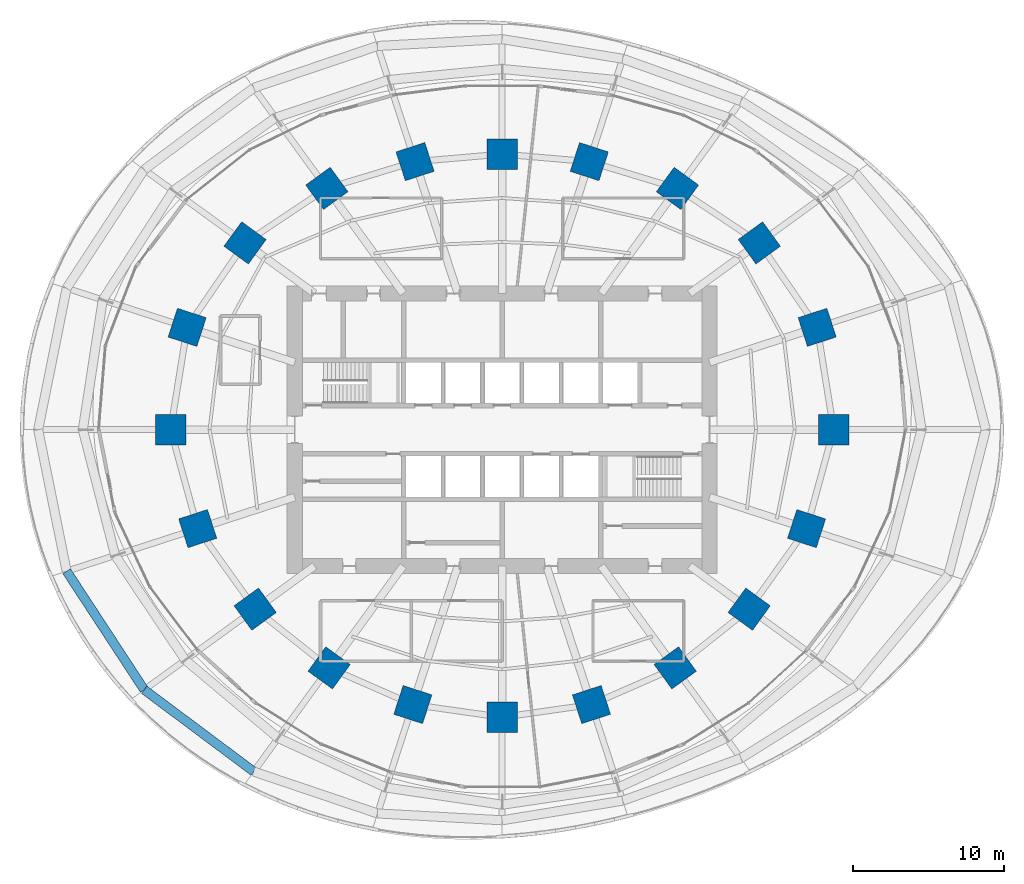
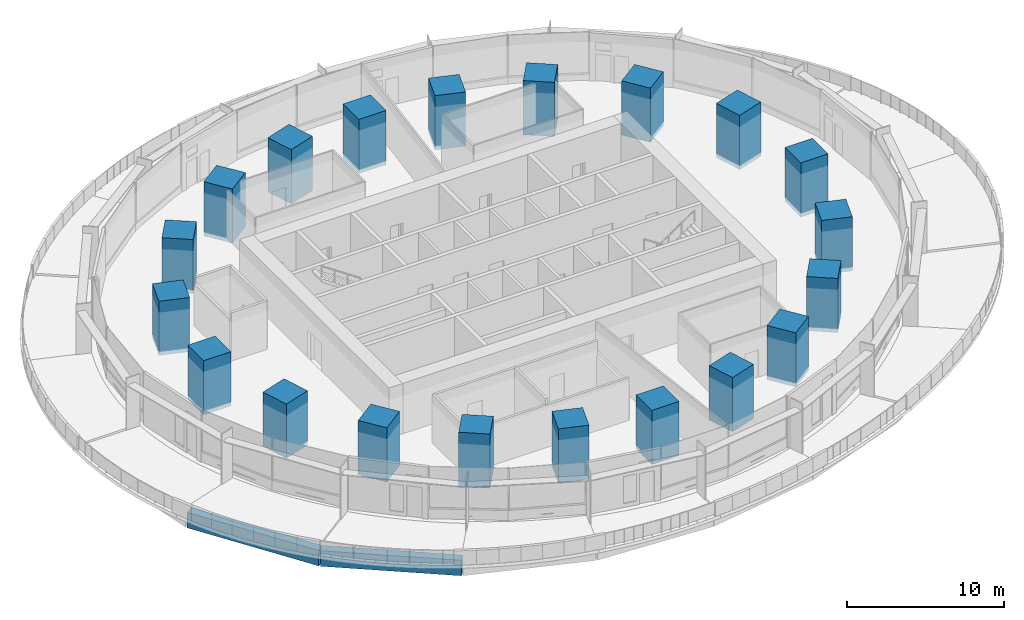
# One storey, part 1 of 20: 20 columns, 2 beams.
"""IFC4 building model written with IfcOpenShell, lengths in metres."""

import ifcopenshell
import ifcopenshell.guid

model = None  # the IFC model being written
_history = None  # IfcOwnerHistory: only IFC2X3 demands one
_inside = {}  # id of a spatial element -> (the spatial element, [elements in it])
_under = {}  # id of a project, library or spatial element -> (it, [spatial elements below it])
_declared = {}  # id of a project -> (the project, [libraries it declares])
_typed = {}  # id of a type object -> (the type object, [elements of that type])
_made_of = {}  # id of a material, layer set ... -> (it, [elements and type objects made of it])


def new_model(schema):
    """Start an empty IFC model of exactly this schema.

    Asked for "IFC4X3", IfcOpenShell would pick the latest addendum, in which some entities
    have other attributes; the version numbers below select the first issue.
    IFC2X3 requires an IfcOwnerHistory on every rooted entity: one is made here for all.
    """
    global model, _history
    if schema == "IFC4X3":
        model = ifcopenshell.file(schema_version=(4, 3, 0, 0))
    else:
        model = ifcopenshell.file(schema=schema)
    _inside.clear()
    _under.clear()
    _declared.clear()
    _typed.clear()
    _made_of.clear()
    _history = None
    if model.schema == "IFC2X3":
        org = make("IfcOrganization", Name="unknown")
        user = make(
            "IfcPersonAndOrganization",
            ThePerson=make("IfcPerson", FamilyName="unknown"),
            TheOrganization=org,
        )
        app = make(
            "IfcApplication",
            ApplicationDeveloper=org,
            Version="unknown",
            ApplicationFullName="unknown",
            ApplicationIdentifier="unknown",
        )
        _history = make(
            "IfcOwnerHistory",
            OwningUser=user,
            OwningApplication=app,
            ChangeAction="ADDED",
            CreationDate=0,
        )
    return model


def make(cls, **values):
    """One entity of the class cls with the attributes given. An attribute that is None is left unset."""
    return model.create_entity(
        cls, **{name: value for name, value in values.items() if value is not None}
    )


def rooted(cls, **values):
    """An entity with a GlobalId (a new one), such as an element, a storey or a relation."""
    return make(cls, GlobalId=ifcopenshell.guid.new(), OwnerHistory=_history, **values)


def si_unit(unit_type, name, prefix=None):
    """IfcSIUnit, for example si_unit("LENGTHUNIT", "METRE", prefix="MILLI")."""
    return make("IfcSIUnit", UnitType=unit_type, Prefix=prefix, Name=name)


def assignment(units):
    """IfcUnitAssignment: the units of a project."""
    return None if units is None else make("IfcUnitAssignment", Units=units)


def point(xyz):
    """IfcCartesianPoint."""
    return None if xyz is None else make("IfcCartesianPoint", Coordinates=xyz)


def direction(xyz):
    """IfcDirection."""
    return None if xyz is None else make("IfcDirection", DirectionRatios=xyz)


def frame(location, z_axis=None, x_axis=None):
    """IfcAxis2Placement3D, a coordinate frame: its origin and axes. An axis left out is left unset."""
    return make(
        "IfcAxis2Placement3D",
        Location=point(location),
        Axis=direction(z_axis),
        RefDirection=direction(x_axis),
    )


def frame_2d(location, x_axis=None):
    """IfcAxis2Placement2D, a coordinate frame in the plane: its origin and x axis."""
    return make(
        "IfcAxis2Placement2D", Location=point(location), RefDirection=direction(x_axis)
    )


def origin():
    """The frame at (0, 0, 0) with its axes left unset."""
    return frame((0.0, 0.0, 0.0))


def origin_2d():
    """The frame at (0, 0) in the plane with its x axis left unset."""
    return frame_2d((0.0, 0.0))


def place(relative_to, where):
    """IfcLocalPlacement: puts the frame where relative to a parent placement (None: the world)."""
    return make(
        "IfcLocalPlacement", PlacementRelTo=relative_to, RelativePlacement=where
    )


def context(
    kind, dimensions, precision=None, world=None, true_north=None, identifier=None
):
    """IfcGeometricRepresentationContext, for example the 3D "Model" context."""
    return make(
        "IfcGeometricRepresentationContext",
        ContextIdentifier=identifier,
        ContextType=kind,
        CoordinateSpaceDimension=dimensions,
        Precision=precision,
        WorldCoordinateSystem=world,
        TrueNorth=true_north,
    )


def subcontext(parent, identifier, kind, view, scale=None):
    """IfcGeometricRepresentationSubContext, for example "Body" below "Model"."""
    return make(
        "IfcGeometricRepresentationSubContext",
        ContextIdentifier=identifier,
        ContextType=kind,
        ParentContext=parent,
        TargetScale=scale,
        TargetView=view,
    )


def project(units=None, contexts=None):
    """IfcProject with its units and contexts."""
    return rooted(
        "IfcProject",
        Name="project",
        RepresentationContexts=contexts,
        UnitsInContext=assignment(units),
    )


def spatial(cls, under=None, at=None, **own):
    """A site, building, storey or space (cls), placed at a placement, below another one or the project."""
    s = rooted(cls, ObjectPlacement=at, **own)
    if under is not None:
        _under.setdefault(under.id(), (under, []))[1].append(s)
    return s


def profile(cls, at=None, kind="AREA", **sizes):
    """A parametric profile (cls). Its sizes go by their IFC names, for example OverallWidth=200.0."""
    return make(cls, ProfileType=kind, Position=at, **sizes)


def rectangle(**sizes):
    """IfcRectangleProfileDef."""
    return profile("IfcRectangleProfileDef", **sizes)


def extrude(swept, where, along, depth):
    """IfcExtrudedAreaSolid: the profile swept, set in the frame where, extruded along a direction by depth."""
    return make(
        "IfcExtrudedAreaSolid",
        SweptArea=swept,
        Position=where,
        ExtrudedDirection=direction(along),
        Depth=depth,
    )


def shape(context_of_items, identifier, shape_type, items):
    """IfcShapeRepresentation: the items that make up one representation, for example the "Body"."""
    return make(
        "IfcShapeRepresentation",
        ContextOfItems=context_of_items,
        RepresentationIdentifier=identifier,
        RepresentationType=shape_type,
        Items=items,
    )


def material(Name=None, Category=None):
    """IfcMaterial."""
    return make("IfcMaterial", Name=Name, Category=Category)


def material_profile(
    of_material, cross_section, Name=None, Category=None, Priority=None
):
    """IfcMaterialProfile: a cross section and its material."""
    return make(
        "IfcMaterialProfile",
        Name=Name,
        Material=of_material,
        Profile=cross_section,
        Priority=Priority,
        Category=Category,
    )


def profile_set(profiles, Name=None, composite=None):
    """IfcMaterialProfileSet."""
    return make(
        "IfcMaterialProfileSet",
        Name=Name,
        MaterialProfiles=profiles,
        CompositeProfile=composite,
    )


def made_of(thing, what):
    """Note that an element or type object is made of a material, layer set ...; save() writes the relation."""
    if what is not None:
        _made_of.setdefault(what.id(), (what, []))[1].append(thing)
    return thing


def type_object(cls, material=None, **own):
    """A type object (cls), such as IfcWallType, which elements share."""
    return made_of(rooted(cls, **own), material)


def element(
    cls,
    number,
    at=None,
    inside=None,
    cuts=None,
    type_object=None,
    material=None,
    context=None,
    identifier="Body",
    shape_type=None,
    held_by="IfcProductDefinitionShape",
    body=None,
    shapes=None,
    **own,
):
    """One element of the class cls, such as IfcWall. Its Tag is "e" and its number.

    at: its placement. inside: the storey or other place that contains it. cuts: it is an
    opening in that element (IfcRelVoidsElement). A single representation is given by context,
    identifier, shape_type and body (its items); several are given by shapes. held_by: the class
    of the entity that holds the representations. save() writes the other relations.
    """
    e = rooted(cls, Tag="e%d" % number, ObjectPlacement=at, **own)
    if body is not None:
        shapes = [shape(context, identifier, shape_type, body)]
    if shapes is not None:
        e.Representation = make(held_by, Representations=shapes)
    if inside is not None:
        _inside.setdefault(inside.id(), (inside, []))[1].append(e)
    if cuts is not None:
        rooted(
            "IfcRelVoidsElement", RelatingBuildingElement=cuts, RelatedOpeningElement=e
        )
    if type_object is not None:
        _typed.setdefault(type_object.id(), (type_object, []))[1].append(e)
    return made_of(e, material)


def aggregate(whole, parts):
    """IfcRelAggregates: a whole, such as a stair, and the parts it consists of."""
    return rooted("IfcRelAggregates", RelatingObject=whole, RelatedObjects=parts)


def save(model, path):
    """Write the relations noted so far, then the file.

    IfcRelAggregates (storeys below a building ...), IfcRelContainedInSpatialStructure (elements
    in a storey), IfcRelDefinesByType, IfcRelAssociatesMaterial and IfcRelDeclares: one each for
    every whole, place, type object, material and project.
    """
    for whole, parts in _under.values():
        aggregate(whole, parts)
    for where, things in _inside.values():
        rooted(
            "IfcRelContainedInSpatialStructure",
            RelatedElements=things,
            RelatingStructure=where,
        )
    for kind, things in _typed.values():
        rooted("IfcRelDefinesByType", RelatedObjects=things, RelatingType=kind)
    for what, things in _made_of.values():
        rooted("IfcRelAssociatesMaterial", RelatedObjects=things, RelatingMaterial=what)
    for by, libraries in _declared.values():
        rooted("IfcRelDeclares", RelatingContext=by, RelatedDefinitions=libraries)
    model.write(path)


model = new_model("IFC4")

# Units and contexts
model_context = context("Model", 3, precision=1e-05, world=origin(), true_north=direction((0.0, 1.0)))
body_context = subcontext(model_context, "Body", "Model", "MODEL_VIEW")
ifc_project = project(units=[si_unit("LENGTHUNIT", "METRE"), si_unit("AREAUNIT", "SQUARE_METRE"), si_unit("VOLUMEUNIT", "CUBIC_METRE"), si_unit("PLANEANGLEUNIT", "RADIAN"), si_unit("MASSUNIT", "GRAM", prefix="KILO")], contexts=[model_context])

# Site, building, storey
site_placement = place(None, origin())
site = spatial("IfcSite", under=ifc_project, at=site_placement, CompositionType="ELEMENT")
building_placement = place(site_placement, origin())
building = spatial("IfcBuilding", under=site, at=building_placement, Name="Marramba Exchange Tower", CompositionType="ELEMENT")
storey_placement = place(building_placement, frame((0.0, 0.0, 19.60009765625)))
storey = spatial("IfcBuildingStorey", under=building, at=storey_placement, Name="L04", CompositionType="ELEMENT", Elevation=19.60009765625)

# Columns
ifc_material = material(Name="Concrete N50", Category="concrete")
ifc_material_profile_1 = material_profile(ifc_material, rectangle(XDim=2.0, YDim=2.0, at=origin_2d()), Name="RC 2000x2000")
ifc_profile_set_1 = profile_set([ifc_material_profile_1], Name="Concrete N50")
column_type = type_object("IfcColumnType", Name="Perimeter column RC 2000x2000 N50", PredefinedType="COLUMN", material=ifc_profile_set_1)
for number, where, z_axis, x_axis, name in (
    (1, (21.89990234375, 0.0, 0.0), (0.0, 0.0, 1.0), (1.0, 0.0, 0.0), "Column TC01 L04"),
    (2, (20.808349609375, 6.760986328125, 0.0), (0.0, 0.0, 1.0), (0.951056516295, 0.309016994375, 0.0), "Column TC02 L04"),
    (3, (16.98583984375, 12.3408203125, 0.0), (0.0, 0.0, 1.0), (0.809016994375, 0.587785252292, 0.0), "Column TC03 L04"),
    (4, (11.581298828125, 15.9404296875, 0.0), (0.0, 0.0, 1.0), (0.587785252292, 0.809016994375, 0.0), "Column TC04 L04"),
    (5, (5.75390625, 17.70849609375, 0.0), (0.0, 0.0, 1.0), (0.309016994375, 0.951056516295, 0.0), "Column TC05 L04"),
    (6, (0.0, 18.2041015625, 0.0), (0.0, 0.0, 1.0), (0.0, 1.0, 0.0), "Column TC06 L04"),
    (7, (-5.75390625, 17.70849609375, 0.0), (0.0, 0.0, 1.0), (-0.309016994375, 0.951056516295, 0.0), "Column TC07 L04"),
    (8, (-11.581298828125, 15.9404296875, 0.0), (0.0, 0.0, 1.0), (-0.587785252292, 0.809016994375, 0.0), "Column TC08 L04"),
    (9, (-16.98583984375, 12.3408203125, 0.0), (0.0, 0.0, 1.0), (-0.809016994375, 0.587785252292, 0.0), "Column TC09 L04"),
    (10, (-20.808349609375, 6.760986328125, 0.0), (0.0, 0.0, 1.0), (-0.951056516295, 0.309016994375, 0.0), "Column TC10 L04"),
    (11, (-21.89990234375, 0.0, 0.0), (0.0, 0.0, 1.0), (-1.0, 0.0, 0.0), "Column TC11 L04"),
    (12, (-20.109375, -6.533935546875, 0.0), (0.0, 0.0, 1.0), (-0.951056516295, -0.309016994375, 0.0), "Column TC12 L04"),
    (13, (-16.3154296875, -11.853759765625, 0.0), (0.0, 0.0, 1.0), (-0.809016994375, -0.587785252292, 0.0), "Column TC13 L04"),
    (14, (-11.430419921875, -15.732666015625, 0.0), (0.0, 0.0, 1.0), (-0.587785252292, -0.809016994375, 0.0), "Column TC14 L04"),
    (15, (-5.899658203125, -18.156982421875, 0.0), (0.0, 0.0, 1.0), (-0.309016994375, -0.951056516295, 0.0), "Column TC15 L04"),
    (16, (0.0, -18.99609375, 0.0), (0.0, 0.0, 1.0), (0.0, -1.0, 0.0), "Column TC16 L04"),
    (17, (5.899658203125, -18.156982421875, 0.0), (0.0, 0.0, 1.0), (0.309016994375, -0.951056516295, 0.0), "Column TC17 L04"),
    (18, (11.430419921875, -15.732666015625, 0.0), (0.0, 0.0, 1.0), (0.587785252292, -0.809016994375, 0.0), "Column TC18 L04"),
    (19, (16.3154296875, -11.853759765625, 0.0), (0.0, 0.0, 1.0), (0.809016994375, -0.587785252292, 0.0), "Column TC19 L04"),
    (20, (20.109375, -6.533935546875, 0.0), (0.0, 0.0, 1.0), (0.951056516295, -0.309016994375, 0.0), "Column TC20 L04"),
):
    element("IfcColumn", number, at=place(storey_placement, frame(where, z_axis=z_axis, x_axis=x_axis)), inside=storey, type_object=column_type, Name=name, PredefinedType="COLUMN", context=body_context, shape_type="SweptSolid", body=[
        extrude(rectangle(XDim=2.0, YDim=2.0, at=origin_2d()), origin(), (0.0, 0.0, 1.0), 4.199951171875),
    ])

# Beams
ifc_material_profile_2 = material_profile(ifc_material, rectangle(XDim=0.60009765625, YDim=1.199951171875, at=origin_2d()), Name="RC 600x1200")
ifc_profile_set_2 = profile_set([ifc_material_profile_2], Name="Concrete N50")
beam_type = type_object("IfcBeamType", Name="Edge beam RC 600x1200 N50", PredefinedType="SPANDREL", material=ifc_profile_set_2)
beam_1_placement = place(storey_placement, frame((-28.770263671875, -9.34814453125, -0.85009765625), z_axis=(0.547649213564, -0.836708036822, 0.0), x_axis=(0.836708036822, 0.547649213564, 0.0)))
element("IfcBeam", 21, at=beam_1_placement, inside=storey, type_object=beam_type, Name="Edge beam L04 P3C12", PredefinedType="SPANDREL", context=body_context, shape_type="SweptSolid", body=[
    extrude(rectangle(XDim=0.60009765625, YDim=1.199951171875, at=origin_2d()), origin(), (0.0, 0.0, 1.0), 9.359130859375),
])
beam_2_placement = place(storey_placement, frame((-23.644775390625, -17.178955078125, -0.85009765625), z_axis=(0.801143536075, -0.598472250489, 0.0), x_axis=(0.598472250489, 0.801143536075, 0.0)))
element("IfcBeam", 22, at=beam_2_placement, inside=storey, type_object=beam_type, Name="Edge beam L04 P3C13", PredefinedType="SPANDREL", context=body_context, shape_type="SweptSolid", body=[
    extrude(rectangle(XDim=0.60009765625, YDim=1.199951171875, at=origin_2d()), origin(), (0.0, 0.0, 1.0), 9.0322265625),
])

save(model, "model.ifc")
